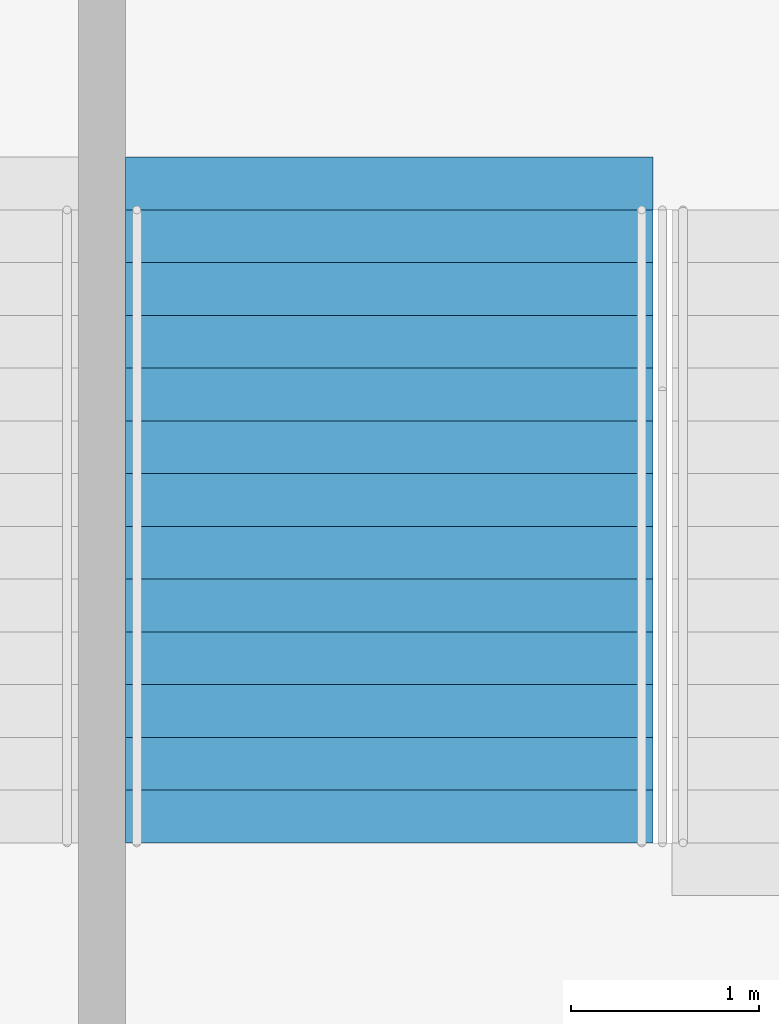
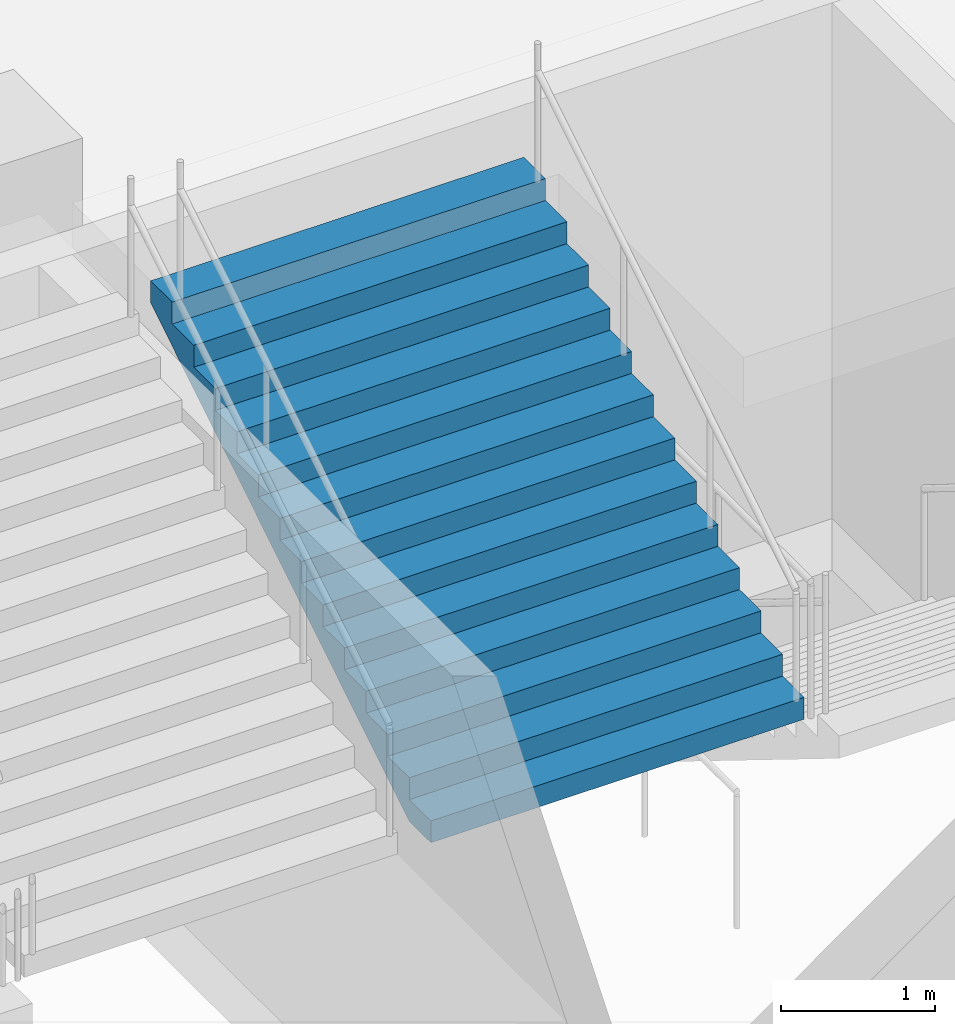
# One storey, part 61 of 175: 1 stair flight, 1 element without a shape of its own.
"""IFC4 building model written with IfcOpenShell, lengths in metres."""

from ifc_helpers import new_model, si_unit, direction, frame, origin, place, context, subcontext, project, spatial, faceted_brep, material, type_object, element, aggregate, save


model = new_model("IFC4")

# Units and contexts
model_context = context("Model", 3, precision=1e-05, world=origin(), true_north=direction((0.0, 1.0)))
body_context = subcontext(model_context, "Body", "Model", "MODEL_VIEW")
ifc_project = project(units=[si_unit("LENGTHUNIT", "METRE"), si_unit("AREAUNIT", "SQUARE_METRE"), si_unit("VOLUMEUNIT", "CUBIC_METRE"), si_unit("PLANEANGLEUNIT", "RADIAN"), si_unit("MASSUNIT", "GRAM", prefix="KILO")], contexts=[model_context])

# Site, building, storey
site_placement = place(None, origin())
site = spatial("IfcSite", under=ifc_project, at=site_placement, CompositionType="ELEMENT")
building_placement = place(site_placement, origin())
building = spatial("IfcBuilding", under=site, at=building_placement, Name="Ogive Plaza Stadium", CompositionType="ELEMENT")
storey_placement = place(building_placement, origin())
storey = spatial("IfcBuildingStorey", under=building, at=storey_placement, Name="L00", CompositionType="ELEMENT", Elevation=0.0)

# Stair, stair flight
ifc_material_1 = material(Name="Concrete C40/50", Category="concrete")
stair_type = type_object("IfcStairType", Name="Exit stair", PredefinedType="STRAIGHT_RUN_STAIR", material=ifc_material_1)
stair_placement = place(storey_placement, origin())
stair = element("IfcStair", 1, at=stair_placement, inside=storey, type_object=stair_type, Name="Exit stair ST16B L00 to L01", PredefinedType="STRAIGHT_RUN_STAIR")
ifc_material_2 = material(Name="Concrete C40/50", Category="concrete")
stair_flight_type = type_object("IfcStairFlightType", Name="Exit stair flight", PredefinedType="STRAIGHT", material=ifc_material_2)
stair_flight_placement = place(storey_placement, frame((-18.875, -98.2099609375, 2.25), z_axis=(0.0, 0.0, 1.0), x_axis=(0.0, 1.0, 0.0)))
stair_flight = element("IfcStairFlight", 2, at=stair_flight_placement, type_object=stair_flight_type, Name="ST16B flight 2", NumberOfRisers=13, NumberOfTreads=12, PredefinedType="STRAIGHT", RiserHeight=0.173076923, TreadLength=0.28, context=body_context, shape_type="Brep", body=[
    faceted_brep([(0.28515625, -1.39990234375, 0.0), (3.639892578125, -1.39990234375, 2.07373046875), (3.639892578125, -1.39990234375, 2.25), (3.360107421875, -1.39990234375, 2.25), (3.360107421875, -1.39990234375, 2.076904296875), (3.080078125, -1.39990234375, 2.076904296875), (3.080078125, -1.39990234375, 1.90380859375), (2.800048828125, -1.39990234375, 1.90380859375), (2.800048828125, -1.39990234375, 1.730712890625), (2.52001953125, -1.39990234375, 1.730712890625), (2.52001953125, -1.39990234375, 1.5576171875), (2.239990234375, -1.39990234375, 1.5576171875), (2.239990234375, -1.39990234375, 1.384521484375), (1.9599609375, -1.39990234375, 1.384521484375), (1.9599609375, -1.39990234375, 1.21142578125), (1.679931640625, -1.39990234375, 1.21142578125), (1.679931640625, -1.39990234375, 1.03857421875), (1.39990234375, -1.39990234375, 1.03857421875), (1.39990234375, -1.39990234375, 0.865478515625), (1.1201171875, -1.39990234375, 0.865478515625), (1.1201171875, -1.39990234375, 0.6923828125), (0.840087890625, -1.39990234375, 0.6923828125), (0.840087890625, -1.39990234375, 0.519287109375), (0.56005859375, -1.39990234375, 0.519287109375), (0.56005859375, -1.39990234375, 0.34619140625), (0.280029296875, -1.39990234375, 0.34619140625), (0.280029296875, -1.39990234375, 0.173095703125), (0.0, -1.39990234375, 0.173095703125), (0.0, -1.39990234375, 0.0), (0.0, 1.39990234375, 0.0), (0.0, 1.39990234375, 0.173095703125), (0.280029296875, 1.39990234375, 0.173095703125), (0.280029296875, 1.39990234375, 0.34619140625), (0.56005859375, 1.39990234375, 0.34619140625), (0.56005859375, 1.39990234375, 0.519287109375), (0.840087890625, 1.39990234375, 0.519287109375), (0.840087890625, 1.39990234375, 0.6923828125), (1.1201171875, 1.39990234375, 0.6923828125), (1.1201171875, 1.39990234375, 0.865478515625), (1.39990234375, 1.39990234375, 0.865478515625), (1.39990234375, 1.39990234375, 1.03857421875), (1.679931640625, 1.39990234375, 1.03857421875), (1.679931640625, 1.39990234375, 1.21142578125), (1.9599609375, 1.39990234375, 1.21142578125), (1.9599609375, 1.39990234375, 1.384521484375), (2.239990234375, 1.39990234375, 1.384521484375), (2.239990234375, 1.39990234375, 1.5576171875), (2.52001953125, 1.39990234375, 1.5576171875), (2.52001953125, 1.39990234375, 1.730712890625), (2.800048828125, 1.39990234375, 1.730712890625), (2.800048828125, 1.39990234375, 1.90380859375), (3.080078125, 1.39990234375, 1.90380859375), (3.080078125, 1.39990234375, 2.076904296875), (3.360107421875, 1.39990234375, 2.076904296875), (3.360107421875, 1.39990234375, 2.25), (3.639892578125, 1.39990234375, 2.25), (3.639892578125, 1.39990234375, 2.07373046875), (0.28515625, 1.39990234375, 0.0), (0.28515625, -1.0888671875, 0.0), (3.639892578125, -1.0888671875, 2.07373046875), (0.28515625, -0.77783203125, 0.0), (3.639892578125, -0.77783203125, 2.07373046875), (0.28515625, -0.466796875, 0.0), (3.639892578125, -0.466796875, 2.07373046875), (0.28515625, -0.155517578125, 0.0), (3.639892578125, -0.155517578125, 2.07373046875), (0.28515625, 0.155517578125, 0.0), (3.639892578125, 0.155517578125, 2.07373046875), (0.28515625, 0.466796875, 0.0), (3.639892578125, 0.466796875, 2.07373046875), (0.28515625, 0.77783203125, 0.0), (3.639892578125, 0.77783203125, 2.07373046875), (0.28515625, 1.0888671875, 0.0), (3.639892578125, 1.0888671875, 2.07373046875), (3.639892578125, -1.0888671875, 2.25), (3.639892578125, -0.77783203125, 2.25), (3.639892578125, -0.466796875, 2.25), (3.639892578125, -0.155517578125, 2.25), (3.639892578125, 0.155517578125, 2.25), (3.639892578125, 0.466796875, 2.25), (3.639892578125, 0.77783203125, 2.25), (3.639892578125, 1.0888671875, 2.25), (3.360107421875, -1.0888671875, 2.25), (3.360107421875, -0.77783203125, 2.25), (3.360107421875, -0.466796875, 2.25), (3.360107421875, -0.155517578125, 2.25), (3.360107421875, 0.155517578125, 2.25), (3.360107421875, 0.466796875, 2.25), (3.360107421875, 0.77783203125, 2.25), (3.360107421875, 1.0888671875, 2.25), (3.360107421875, -1.0888671875, 2.076904296875), (3.360107421875, -0.77783203125, 2.076904296875), (3.360107421875, -0.466796875, 2.076904296875), (3.360107421875, -0.155517578125, 2.076904296875), (3.360107421875, 0.155517578125, 2.076904296875), (3.360107421875, 0.466796875, 2.076904296875), (3.360107421875, 0.77783203125, 2.076904296875), (3.360107421875, 1.0888671875, 2.076904296875), (3.080078125, -1.0888671875, 2.076904296875), (3.080078125, -0.77783203125, 2.076904296875), (3.080078125, -0.466796875, 2.076904296875), (3.080078125, -0.155517578125, 2.076904296875), (3.080078125, 0.155517578125, 2.076904296875), (3.080078125, 0.466796875, 2.076904296875), (3.080078125, 0.77783203125, 2.076904296875), (3.080078125, 1.0888671875, 2.076904296875), (3.080078125, -1.0888671875, 1.90380859375), (3.080078125, -0.77783203125, 1.90380859375), (3.080078125, -0.466796875, 1.90380859375), (3.080078125, -0.155517578125, 1.90380859375), (3.080078125, 0.155517578125, 1.90380859375), (3.080078125, 0.466796875, 1.90380859375), (3.080078125, 0.77783203125, 1.90380859375), (3.080078125, 1.0888671875, 1.90380859375), (2.800048828125, -1.0888671875, 1.90380859375), (2.800048828125, -0.77783203125, 1.90380859375), (2.800048828125, -0.466796875, 1.90380859375), (2.800048828125, -0.155517578125, 1.90380859375), (2.800048828125, 0.155517578125, 1.90380859375), (2.800048828125, 0.466796875, 1.90380859375), (2.800048828125, 0.77783203125, 1.90380859375), (2.800048828125, 1.0888671875, 1.90380859375), (2.800048828125, -1.0888671875, 1.730712890625), (2.800048828125, -0.77783203125, 1.730712890625), (2.800048828125, -0.466796875, 1.730712890625), (2.800048828125, -0.155517578125, 1.730712890625), (2.800048828125, 0.155517578125, 1.730712890625), (2.800048828125, 0.466796875, 1.730712890625), (2.800048828125, 0.77783203125, 1.730712890625), (2.800048828125, 1.0888671875, 1.730712890625), (2.52001953125, -1.0888671875, 1.730712890625), (2.52001953125, -0.77783203125, 1.730712890625), (2.52001953125, -0.466796875, 1.730712890625), (2.52001953125, -0.155517578125, 1.730712890625), (2.52001953125, 0.155517578125, 1.730712890625), (2.52001953125, 0.466796875, 1.730712890625), (2.52001953125, 0.77783203125, 1.730712890625), (2.52001953125, 1.0888671875, 1.730712890625), (2.52001953125, -1.0888671875, 1.5576171875), (2.52001953125, -0.77783203125, 1.5576171875), (2.52001953125, -0.466796875, 1.5576171875), (2.52001953125, -0.155517578125, 1.5576171875), (2.52001953125, 0.155517578125, 1.5576171875), (2.52001953125, 0.466796875, 1.5576171875), (2.52001953125, 0.77783203125, 1.5576171875), (2.52001953125, 1.0888671875, 1.5576171875), (2.239990234375, -1.0888671875, 1.5576171875), (2.239990234375, -0.77783203125, 1.5576171875), (2.239990234375, -0.466796875, 1.5576171875), (2.239990234375, -0.155517578125, 1.5576171875), (2.239990234375, 0.155517578125, 1.5576171875), (2.239990234375, 0.466796875, 1.5576171875), (2.239990234375, 0.77783203125, 1.5576171875), (2.239990234375, 1.0888671875, 1.5576171875), (2.239990234375, -1.0888671875, 1.384521484375), (2.239990234375, -0.77783203125, 1.384521484375), (2.239990234375, -0.466796875, 1.384521484375), (2.239990234375, -0.155517578125, 1.384521484375), (2.239990234375, 0.155517578125, 1.384521484375), (2.239990234375, 0.466796875, 1.384521484375), (2.239990234375, 0.77783203125, 1.384521484375), (2.239990234375, 1.0888671875, 1.384521484375), (1.9599609375, -1.0888671875, 1.384521484375), (1.9599609375, -0.77783203125, 1.384521484375), (1.9599609375, -0.466796875, 1.384521484375), (1.9599609375, -0.155517578125, 1.384521484375), (1.9599609375, 0.155517578125, 1.384521484375), (1.9599609375, 0.466796875, 1.384521484375), (1.9599609375, 0.77783203125, 1.384521484375), (1.9599609375, 1.0888671875, 1.384521484375), (1.9599609375, -1.0888671875, 1.21142578125), (1.9599609375, -0.77783203125, 1.21142578125), (1.9599609375, -0.466796875, 1.21142578125), (1.9599609375, -0.155517578125, 1.21142578125), (1.9599609375, 0.155517578125, 1.21142578125), (1.9599609375, 0.466796875, 1.21142578125), (1.9599609375, 0.77783203125, 1.21142578125), (1.9599609375, 1.0888671875, 1.21142578125), (1.679931640625, -1.0888671875, 1.21142578125), (1.679931640625, -0.77783203125, 1.21142578125), (1.679931640625, -0.466796875, 1.21142578125), (1.679931640625, -0.155517578125, 1.21142578125), (1.679931640625, 0.155517578125, 1.21142578125), (1.679931640625, 0.466796875, 1.21142578125), (1.679931640625, 0.77783203125, 1.21142578125), (1.679931640625, 1.0888671875, 1.21142578125), (1.679931640625, -1.0888671875, 1.03857421875), (1.679931640625, -0.77783203125, 1.03857421875), (1.679931640625, -0.466796875, 1.03857421875), (1.679931640625, -0.155517578125, 1.03857421875), (1.679931640625, 0.155517578125, 1.03857421875), (1.679931640625, 0.466796875, 1.03857421875), (1.679931640625, 0.77783203125, 1.03857421875), (1.679931640625, 1.0888671875, 1.03857421875), (1.39990234375, -1.0888671875, 1.03857421875), (1.39990234375, -0.77783203125, 1.03857421875), (1.39990234375, -0.466796875, 1.03857421875), (1.39990234375, -0.155517578125, 1.03857421875), (1.39990234375, 0.155517578125, 1.03857421875), (1.39990234375, 0.466796875, 1.03857421875), (1.39990234375, 0.77783203125, 1.03857421875), (1.39990234375, 1.0888671875, 1.03857421875), (1.39990234375, -1.0888671875, 0.865478515625), (1.39990234375, -0.77783203125, 0.865478515625), (1.39990234375, -0.466796875, 0.865478515625), (1.39990234375, -0.155517578125, 0.865478515625), (1.39990234375, 0.155517578125, 0.865478515625), (1.39990234375, 0.466796875, 0.865478515625), (1.39990234375, 0.77783203125, 0.865478515625), (1.39990234375, 1.0888671875, 0.865478515625), (1.1201171875, -1.0888671875, 0.865478515625), (1.1201171875, -0.77783203125, 0.865478515625), (1.1201171875, -0.466796875, 0.865478515625), (1.1201171875, -0.155517578125, 0.865478515625), (1.1201171875, 0.155517578125, 0.865478515625), (1.1201171875, 0.466796875, 0.865478515625), (1.1201171875, 0.77783203125, 0.865478515625), (1.1201171875, 1.0888671875, 0.865478515625), (1.1201171875, -1.0888671875, 0.6923828125), (1.1201171875, -0.77783203125, 0.6923828125), (1.1201171875, -0.466796875, 0.6923828125), (1.1201171875, -0.155517578125, 0.6923828125), (1.1201171875, 0.155517578125, 0.6923828125), (1.1201171875, 0.466796875, 0.6923828125), (1.1201171875, 0.77783203125, 0.6923828125), (1.1201171875, 1.0888671875, 0.6923828125), (0.840087890625, -1.0888671875, 0.6923828125), (0.840087890625, -0.77783203125, 0.6923828125), (0.840087890625, -0.466796875, 0.6923828125), (0.840087890625, -0.155517578125, 0.6923828125), (0.840087890625, 0.155517578125, 0.6923828125), (0.840087890625, 0.466796875, 0.6923828125), (0.840087890625, 0.77783203125, 0.6923828125), (0.840087890625, 1.0888671875, 0.6923828125), (0.840087890625, -1.0888671875, 0.519287109375), (0.840087890625, -0.77783203125, 0.519287109375), (0.840087890625, -0.466796875, 0.519287109375), (0.840087890625, -0.155517578125, 0.519287109375), (0.840087890625, 0.155517578125, 0.519287109375), (0.840087890625, 0.466796875, 0.519287109375), (0.840087890625, 0.77783203125, 0.519287109375), (0.840087890625, 1.0888671875, 0.519287109375), (0.56005859375, -1.0888671875, 0.519287109375), (0.56005859375, -0.77783203125, 0.519287109375), (0.56005859375, -0.466796875, 0.519287109375), (0.56005859375, -0.155517578125, 0.519287109375), (0.56005859375, 0.155517578125, 0.519287109375), (0.56005859375, 0.466796875, 0.519287109375), (0.56005859375, 0.77783203125, 0.519287109375), (0.56005859375, 1.0888671875, 0.519287109375), (0.56005859375, -1.0888671875, 0.34619140625), (0.56005859375, -0.77783203125, 0.34619140625), (0.56005859375, -0.466796875, 0.34619140625), (0.56005859375, -0.155517578125, 0.34619140625), (0.56005859375, 0.155517578125, 0.34619140625), (0.56005859375, 0.466796875, 0.34619140625), (0.56005859375, 0.77783203125, 0.34619140625), (0.56005859375, 1.0888671875, 0.34619140625), (0.280029296875, -1.0888671875, 0.34619140625), (0.280029296875, -0.77783203125, 0.34619140625), (0.280029296875, -0.466796875, 0.34619140625), (0.280029296875, -0.155517578125, 0.34619140625), (0.280029296875, 0.155517578125, 0.34619140625), (0.280029296875, 0.466796875, 0.34619140625), (0.280029296875, 0.77783203125, 0.34619140625), (0.280029296875, 1.0888671875, 0.34619140625), (0.280029296875, -1.0888671875, 0.173095703125), (0.280029296875, -0.77783203125, 0.173095703125), (0.280029296875, -0.466796875, 0.173095703125), (0.280029296875, -0.155517578125, 0.173095703125), (0.280029296875, 0.155517578125, 0.173095703125), (0.280029296875, 0.466796875, 0.173095703125), (0.280029296875, 0.77783203125, 0.173095703125), (0.280029296875, 1.0888671875, 0.173095703125), (0.0, -1.0888671875, 0.173095703125), (0.0, -0.77783203125, 0.173095703125), (0.0, -0.466796875, 0.173095703125), (0.0, -0.155517578125, 0.173095703125), (0.0, 0.155517578125, 0.173095703125), (0.0, 0.466796875, 0.173095703125), (0.0, 0.77783203125, 0.173095703125), (0.0, 1.0888671875, 0.173095703125), (0.0, -1.0888671875, 0.0), (0.0, -0.77783203125, 0.0), (0.0, -0.466796875, 0.0), (0.0, -0.155517578125, 0.0), (0.0, 0.155517578125, 0.0), (0.0, 0.466796875, 0.0), (0.0, 0.77783203125, 0.0), (0.0, 1.0888671875, 0.0)], [[[0, 1, 2, 3, 4, 5, 6, 7, 8, 9, 10, 11, 12, 13, 14, 15, 16, 17, 18, 19, 20, 21, 22, 23, 24, 25, 26, 27, 28]], [[29, 30, 31, 32, 33, 34, 35, 36, 37, 38, 39, 40, 41, 42, 43, 44, 45, 46, 47, 48, 49, 50, 51, 52, 53, 54, 55, 56, 57]], [[0, 58, 59, 1]], [[58, 60, 61, 59]], [[60, 62, 63, 61]], [[62, 64, 65, 63]], [[64, 66, 67, 65]], [[66, 68, 69, 67]], [[68, 70, 71, 69]], [[70, 72, 73, 71]], [[72, 57, 56, 73]], [[1, 59, 74, 2]], [[59, 61, 75, 74]], [[61, 63, 76, 75]], [[63, 65, 77, 76]], [[65, 67, 78, 77]], [[67, 69, 79, 78]], [[69, 71, 80, 79]], [[71, 73, 81, 80]], [[73, 56, 55, 81]], [[2, 74, 82, 3]], [[74, 75, 83, 82]], [[75, 76, 84, 83]], [[76, 77, 85, 84]], [[77, 78, 86, 85]], [[78, 79, 87, 86]], [[79, 80, 88, 87]], [[80, 81, 89, 88]], [[81, 55, 54, 89]], [[3, 82, 90, 4]], [[82, 83, 91, 90]], [[83, 84, 92, 91]], [[84, 85, 93, 92]], [[85, 86, 94, 93]], [[86, 87, 95, 94]], [[87, 88, 96, 95]], [[88, 89, 97, 96]], [[89, 54, 53, 97]], [[4, 90, 98, 5]], [[90, 91, 99, 98]], [[91, 92, 100, 99]], [[92, 93, 101, 100]], [[93, 94, 102, 101]], [[94, 95, 103, 102]], [[95, 96, 104, 103]], [[96, 97, 105, 104]], [[97, 53, 52, 105]], [[5, 98, 106, 6]], [[98, 99, 107, 106]], [[99, 100, 108, 107]], [[100, 101, 109, 108]], [[101, 102, 110, 109]], [[102, 103, 111, 110]], [[103, 104, 112, 111]], [[104, 105, 113, 112]], [[105, 52, 51, 113]], [[6, 106, 114, 7]], [[106, 107, 115, 114]], [[107, 108, 116, 115]], [[108, 109, 117, 116]], [[109, 110, 118, 117]], [[110, 111, 119, 118]], [[111, 112, 120, 119]], [[112, 113, 121, 120]], [[113, 51, 50, 121]], [[7, 114, 122, 8]], [[114, 115, 123, 122]], [[115, 116, 124, 123]], [[116, 117, 125, 124]], [[117, 118, 126, 125]], [[118, 119, 127, 126]], [[119, 120, 128, 127]], [[120, 121, 129, 128]], [[121, 50, 49, 129]], [[8, 122, 130, 9]], [[122, 123, 131, 130]], [[123, 124, 132, 131]], [[124, 125, 133, 132]], [[125, 126, 134, 133]], [[126, 127, 135, 134]], [[127, 128, 136, 135]], [[128, 129, 137, 136]], [[129, 49, 48, 137]], [[9, 130, 138, 10]], [[130, 131, 139, 138]], [[131, 132, 140, 139]], [[132, 133, 141, 140]], [[133, 134, 142, 141]], [[134, 135, 143, 142]], [[135, 136, 144, 143]], [[136, 137, 145, 144]], [[137, 48, 47, 145]], [[10, 138, 146, 11]], [[138, 139, 147, 146]], [[139, 140, 148, 147]], [[140, 141, 149, 148]], [[141, 142, 150, 149]], [[142, 143, 151, 150]], [[143, 144, 152, 151]], [[144, 145, 153, 152]], [[145, 47, 46, 153]], [[11, 146, 154, 12]], [[146, 147, 155, 154]], [[147, 148, 156, 155]], [[148, 149, 157, 156]], [[149, 150, 158, 157]], [[150, 151, 159, 158]], [[151, 152, 160, 159]], [[152, 153, 161, 160]], [[153, 46, 45, 161]], [[12, 154, 162, 13]], [[154, 155, 163, 162]], [[155, 156, 164, 163]], [[156, 157, 165, 164]], [[157, 158, 166, 165]], [[158, 159, 167, 166]], [[159, 160, 168, 167]], [[160, 161, 169, 168]], [[161, 45, 44, 169]], [[13, 162, 170, 14]], [[162, 163, 171, 170]], [[163, 164, 172, 171]], [[164, 165, 173, 172]], [[165, 166, 174, 173]], [[166, 167, 175, 174]], [[167, 168, 176, 175]], [[168, 169, 177, 176]], [[169, 44, 43, 177]], [[14, 170, 178, 15]], [[170, 171, 179, 178]], [[171, 172, 180, 179]], [[172, 173, 181, 180]], [[173, 174, 182, 181]], [[174, 175, 183, 182]], [[175, 176, 184, 183]], [[176, 177, 185, 184]], [[177, 43, 42, 185]], [[15, 178, 186, 16]], [[178, 179, 187, 186]], [[179, 180, 188, 187]], [[180, 181, 189, 188]], [[181, 182, 190, 189]], [[182, 183, 191, 190]], [[183, 184, 192, 191]], [[184, 185, 193, 192]], [[185, 42, 41, 193]], [[16, 186, 194, 17]], [[186, 187, 195, 194]], [[187, 188, 196, 195]], [[188, 189, 197, 196]], [[189, 190, 198, 197]], [[190, 191, 199, 198]], [[191, 192, 200, 199]], [[192, 193, 201, 200]], [[193, 41, 40, 201]], [[17, 194, 202, 18]], [[194, 195, 203, 202]], [[195, 196, 204, 203]], [[196, 197, 205, 204]], [[197, 198, 206, 205]], [[198, 199, 207, 206]], [[199, 200, 208, 207]], [[200, 201, 209, 208]], [[201, 40, 39, 209]], [[18, 202, 210, 19]], [[202, 203, 211, 210]], [[203, 204, 212, 211]], [[204, 205, 213, 212]], [[205, 206, 214, 213]], [[206, 207, 215, 214]], [[207, 208, 216, 215]], [[208, 209, 217, 216]], [[209, 39, 38, 217]], [[19, 210, 218, 20]], [[210, 211, 219, 218]], [[211, 212, 220, 219]], [[212, 213, 221, 220]], [[213, 214, 222, 221]], [[214, 215, 223, 222]], [[215, 216, 224, 223]], [[216, 217, 225, 224]], [[217, 38, 37, 225]], [[20, 218, 226, 21]], [[218, 219, 227, 226]], [[219, 220, 228, 227]], [[220, 221, 229, 228]], [[221, 222, 230, 229]], [[222, 223, 231, 230]], [[223, 224, 232, 231]], [[224, 225, 233, 232]], [[225, 37, 36, 233]], [[21, 226, 234, 22]], [[226, 227, 235, 234]], [[227, 228, 236, 235]], [[228, 229, 237, 236]], [[229, 230, 238, 237]], [[230, 231, 239, 238]], [[231, 232, 240, 239]], [[232, 233, 241, 240]], [[233, 36, 35, 241]], [[22, 234, 242, 23]], [[234, 235, 243, 242]], [[235, 236, 244, 243]], [[236, 237, 245, 244]], [[237, 238, 246, 245]], [[238, 239, 247, 246]], [[239, 240, 248, 247]], [[240, 241, 249, 248]], [[241, 35, 34, 249]], [[23, 242, 250, 24]], [[242, 243, 251, 250]], [[243, 244, 252, 251]], [[244, 245, 253, 252]], [[245, 246, 254, 253]], [[246, 247, 255, 254]], [[247, 248, 256, 255]], [[248, 249, 257, 256]], [[249, 34, 33, 257]], [[24, 250, 258, 25]], [[250, 251, 259, 258]], [[251, 252, 260, 259]], [[252, 253, 261, 260]], [[253, 254, 262, 261]], [[254, 255, 263, 262]], [[255, 256, 264, 263]], [[256, 257, 265, 264]], [[257, 33, 32, 265]], [[25, 258, 266, 26]], [[258, 259, 267, 266]], [[259, 260, 268, 267]], [[260, 261, 269, 268]], [[261, 262, 270, 269]], [[262, 263, 271, 270]], [[263, 264, 272, 271]], [[264, 265, 273, 272]], [[265, 32, 31, 273]], [[26, 266, 274, 27]], [[266, 267, 275, 274]], [[267, 268, 276, 275]], [[268, 269, 277, 276]], [[269, 270, 278, 277]], [[270, 271, 279, 278]], [[271, 272, 280, 279]], [[272, 273, 281, 280]], [[273, 31, 30, 281]], [[27, 274, 282, 28]], [[274, 275, 283, 282]], [[275, 276, 284, 283]], [[276, 277, 285, 284]], [[277, 278, 286, 285]], [[278, 279, 287, 286]], [[279, 280, 288, 287]], [[280, 281, 289, 288]], [[281, 30, 29, 289]], [[28, 282, 58, 0]], [[282, 283, 60, 58]], [[283, 284, 62, 60]], [[284, 285, 64, 62]], [[285, 286, 66, 64]], [[286, 287, 68, 66]], [[287, 288, 70, 68]], [[288, 289, 72, 70]], [[289, 29, 57, 72]]]),
])
aggregate(stair, [stair_flight])

save(model, "model.ifc")
